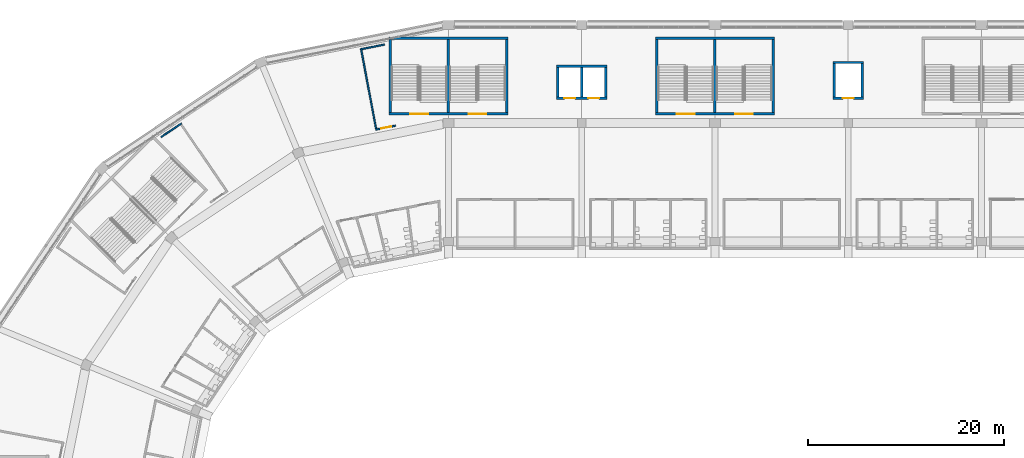
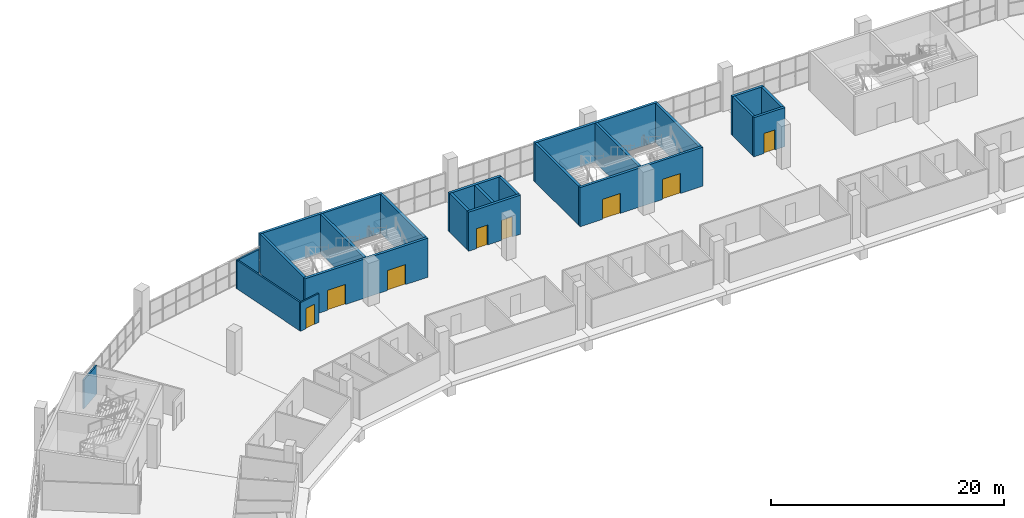
# One storey, part 87 of 199: 23 walls, 8 doors, 8 openings.
"""IFC4 building model written with IfcOpenShell, lengths in metres."""

from ifc_helpers import new_model, si_unit, direction, frame, frame_2d, origin, place, context, subcontext, project, spatial, rectangle, extrude, material, layer, layer_set, type_object, element, fill, save


model = new_model("IFC4")

# Units and contexts
model_context = context("Model", 3, precision=1e-05, world=origin(), true_north=direction((0.0, 1.0)))
body_context = subcontext(model_context, "Body", "Model", "MODEL_VIEW")
ifc_project = project(units=[si_unit("LENGTHUNIT", "METRE"), si_unit("AREAUNIT", "SQUARE_METRE"), si_unit("VOLUMEUNIT", "CUBIC_METRE"), si_unit("PLANEANGLEUNIT", "RADIAN"), si_unit("MASSUNIT", "GRAM", prefix="KILO")], contexts=[model_context])

# Site, building, storey
site_placement = place(None, origin())
site = spatial("IfcSite", under=ifc_project, at=site_placement, CompositionType="ELEMENT")
building_placement = place(site_placement, origin())
building = spatial("IfcBuilding", under=site, at=building_placement, Name="Ogive Plaza Stadium", CompositionType="ELEMENT")
storey_placement = place(building_placement, frame((0.0, 0.0, 4.5)))
storey = spatial("IfcBuildingStorey", under=building, at=storey_placement, Name="L01", CompositionType="ELEMENT", Elevation=4.5)

# Wall
ifc_material_1 = material(Name="Masonry blockwork", Category="masonry")
ifc_layer_1 = layer(ifc_material_1, 0.14990234375)
ifc_layer_set_1 = layer_set([ifc_layer_1], Name="Blockwork wall 150")
wall_type_1 = type_object("IfcWallType", Name="Blockwork wall 150", PredefinedType="SOLIDWALL", material=ifc_layer_set_1)
wall_1_placement = place(storey_placement, frame((-63.332763671875, 91.053955078125, 0.0), z_axis=(0.0, 0.0, 1.0), x_axis=(0.831482054195, 0.555551611961, 0.0)))
element("IfcWall", 1, at=wall_1_placement, inside=storey, type_object=wall_type_1, Name="Wall L01 B30", PredefinedType="SOLIDWALL", context=body_context, shape_type="SweptSolid", body=[
    extrude(rectangle(XDim=2.513671875, YDim=0.14990234375, at=frame_2d((1.2568359375, 0.0))), origin(), (0.0, 0.0, 1.0), 3.0),
])

# Wall, openings, doors
ifc_material_2 = material(Name="Concrete C40/50", Category="concrete")
ifc_layer_2 = layer(ifc_material_2, 0.25)
ifc_layer_set_2 = layer_set([ifc_layer_2], Name="Concrete C40/50")
wall_type_2 = type_object("IfcWallType", Name="Core wall 250", PredefinedType="SHEAR", material=ifc_layer_set_2)
wall_2_placement = place(storey_placement, frame((-27.925048828125, 93.425048828125, 0.0), z_axis=(0.0, 0.0, 1.0), x_axis=(-1.0, 0.0, 0.0)))
wall_2 = element("IfcWall", 2, at=wall_2_placement, inside=storey, type_object=wall_type_2, Name="Stair core R32 inner wall", PredefinedType="SHEAR", context=body_context, shape_type="SweptSolid", body=[
    extrude(rectangle(XDim=12.14990234375, YDim=0.25, at=frame_2d((6.074951171875, 0.0))), origin(), (0.0, 0.0, 1.0), 4.090087890625),
])
opening_1_placement = place(wall_2_placement, frame((2.199951171875, 0.0, 0.0)))
opening_1 = element("IfcOpeningElement", 3, at=opening_1_placement, cuts=wall_2, Name="Opening D0237", PredefinedType="OPENING", context=body_context, shape_type="SweptSolid", body=[
    extrude(rectangle(XDim=1.800048828125, YDim=2.10009765625, at=frame_2d((0.89990234375, 1.050048828125))), frame((0.0, 0.125, 0.0), z_axis=(0.0, -1.0, 0.0), x_axis=(1.0, 0.0, 0.0)), (0.0, 0.0, 1.0), 0.25),
])
opening_2_placement = place(wall_2_placement, frame((8.14990234375, 0.0, 0.0)))
opening_2 = element("IfcOpeningElement", 4, at=opening_2_placement, cuts=wall_2, Name="Opening D0238", PredefinedType="OPENING", context=body_context, shape_type="SweptSolid", body=[
    extrude(rectangle(XDim=1.800048828125, YDim=2.10009765625, at=frame_2d((0.89990234375, 1.050048828125))), frame((0.0, 0.125, 0.0), z_axis=(0.0, -1.0, 0.0), x_axis=(1.0, 0.0, 0.0)), (0.0, 0.0, 1.0), 0.25),
])
ifc_material_3 = material(Name="Steel ASTM A572 Grade 50", Category="steel")
door_type_1 = type_object("IfcDoorType", Name="Fire door FD90 pair 1800 x 2100", OperationType="DOUBLE_DOOR_SINGLE_SWING", PredefinedType="DOOR", material=ifc_material_3)
door_1_placement = place(opening_1_placement, origin())
door_1 = element("IfcDoor", 5, at=door_1_placement, inside=storey, type_object=door_type_1, Name="Exit stair R32A door L01", OperationType="DOUBLE_DOOR_SINGLE_SWING", OverallHeight=2.10009765625, OverallWidth=1.800048828125, PredefinedType="DOOR", context=body_context, shape_type="SweptSolid", body=[
    extrude(rectangle(XDim=1.800048828125, YDim=2.10009765625, at=frame_2d((0.89990234375, 1.050048828125))), frame((0.0, 0.02490234375, 0.0), z_axis=(0.0, -1.0, 0.0), x_axis=(1.0, 0.0, 0.0)), (0.0, 0.0, 1.0), 0.050048828125),
])
fill(opening_1, door_1)
door_2_placement = place(opening_2_placement, origin())
door_2 = element("IfcDoor", 6, at=door_2_placement, inside=storey, type_object=door_type_1, Name="Exit stair R32B door L01", OperationType="DOUBLE_DOOR_SINGLE_SWING", OverallHeight=2.10009765625, OverallWidth=1.800048828125, PredefinedType="DOOR", context=body_context, shape_type="SweptSolid", body=[
    extrude(rectangle(XDim=1.800048828125, YDim=2.10009765625, at=frame_2d((0.89990234375, 1.050048828125))), frame((0.0, 0.02490234375, 0.0), z_axis=(0.0, -1.0, 0.0), x_axis=(1.0, 0.0, 0.0)), (0.0, 0.0, 1.0), 0.050048828125),
])
fill(opening_2, door_2)

# Walls
wall_3_placement = place(storey_placement, frame((-27.925048828125, 101.135009765625, 0.0), z_axis=(0.0, 0.0, 1.0), x_axis=(-1.0, 0.0, 0.0)))
element("IfcWall", 7, at=wall_3_placement, inside=storey, type_object=wall_type_2, Name="Stair core R32 outer wall", PredefinedType="SHEAR", context=body_context, shape_type="SweptSolid", body=[
    extrude(rectangle(XDim=12.14990234375, YDim=0.25, at=frame_2d((6.074951171875, 0.0))), origin(), (0.0, 0.0, 1.0), 4.090087890625),
])
for number, where, z_axis, x_axis, name in (
    (8, (-28.050048828125, 93.550048828125, 0.0), (0.0, 0.0, 1.0), (0.0, 1.0, 0.0), "Stair core R32 side wall"),
    (9, (-39.949951171875, 93.550048828125, 0.0), (0.0, 0.0, 1.0), (0.0, 1.0, 0.0), "Stair core R32 side wall"),
    (10, (-34.0, 93.550048828125, 0.0), (0.0, 0.0, 1.0), (0.0, 1.0, 0.0), "Stair core R32 centre wall"),
):
    element("IfcWall", number, at=place(storey_placement, frame(where, z_axis=z_axis, x_axis=x_axis)), inside=storey, type_object=wall_type_2, Name=name, PredefinedType="SHEAR", context=body_context, shape_type="SweptSolid", body=[
        extrude(rectangle(XDim=7.4599609375, YDim=0.25, at=frame_2d((3.72998046875, 0.0))), origin(), (0.0, 0.0, 1.0), 4.090087890625),
    ])

# Wall, openings, doors
wall_4_placement = place(storey_placement, frame((-0.72509765625, 93.425048828125, 0.0), z_axis=(0.0, 0.0, 1.0), x_axis=(-1.0, 0.0, 0.0)))
wall_4 = element("IfcWall", 11, at=wall_4_placement, inside=storey, type_object=wall_type_2, Name="Stair core R34 inner wall", PredefinedType="SHEAR", context=body_context, shape_type="SweptSolid", body=[
    extrude(rectangle(XDim=12.14990234375, YDim=0.25, at=frame_2d((6.074951171875, 0.0))), origin(), (0.0, 0.0, 1.0), 4.090087890625),
])
opening_3_placement = place(wall_4_placement, frame((2.199951171875, 0.0, 0.0)))
opening_3 = element("IfcOpeningElement", 12, at=opening_3_placement, cuts=wall_4, Name="Opening D0249", PredefinedType="OPENING", context=body_context, shape_type="SweptSolid", body=[
    extrude(rectangle(XDim=1.800048828125, YDim=2.10009765625, at=frame_2d((0.89990234375, 1.050048828125))), frame((0.0, 0.125, 0.0), z_axis=(0.0, -1.0, 0.0), x_axis=(1.0, 0.0, 0.0)), (0.0, 0.0, 1.0), 0.25),
])
opening_4_placement = place(wall_4_placement, frame((8.14990234375, 0.0, 0.0)))
opening_4 = element("IfcOpeningElement", 13, at=opening_4_placement, cuts=wall_4, Name="Opening D0250", PredefinedType="OPENING", context=body_context, shape_type="SweptSolid", body=[
    extrude(rectangle(XDim=1.800048828125, YDim=2.10009765625, at=frame_2d((0.89990234375, 1.050048828125))), frame((0.0, 0.125, 0.0), z_axis=(0.0, -1.0, 0.0), x_axis=(1.0, 0.0, 0.0)), (0.0, 0.0, 1.0), 0.25),
])
door_3_placement = place(opening_3_placement, origin())
door_3 = element("IfcDoor", 14, at=door_3_placement, inside=storey, type_object=door_type_1, Name="Exit stair R34A door L01", OperationType="DOUBLE_DOOR_SINGLE_SWING", OverallHeight=2.10009765625, OverallWidth=1.800048828125, PredefinedType="DOOR", context=body_context, shape_type="SweptSolid", body=[
    extrude(rectangle(XDim=1.800048828125, YDim=2.10009765625, at=frame_2d((0.89990234375, 1.050048828125))), frame((0.0, 0.02490234375, 0.0), z_axis=(0.0, -1.0, 0.0), x_axis=(1.0, 0.0, 0.0)), (0.0, 0.0, 1.0), 0.050048828125),
])
fill(opening_3, door_3)
door_4_placement = place(opening_4_placement, origin())
door_4 = element("IfcDoor", 15, at=door_4_placement, inside=storey, type_object=door_type_1, Name="Exit stair R34B door L01", OperationType="DOUBLE_DOOR_SINGLE_SWING", OverallHeight=2.10009765625, OverallWidth=1.800048828125, PredefinedType="DOOR", context=body_context, shape_type="SweptSolid", body=[
    extrude(rectangle(XDim=1.800048828125, YDim=2.10009765625, at=frame_2d((0.89990234375, 1.050048828125))), frame((0.0, 0.02490234375, 0.0), z_axis=(0.0, -1.0, 0.0), x_axis=(1.0, 0.0, 0.0)), (0.0, 0.0, 1.0), 0.050048828125),
])
fill(opening_4, door_4)

# Walls
wall_5_placement = place(storey_placement, frame((-0.72509765625, 101.135009765625, 0.0), z_axis=(0.0, 0.0, 1.0), x_axis=(-1.0, 0.0, 0.0)))
element("IfcWall", 16, at=wall_5_placement, inside=storey, type_object=wall_type_2, Name="Stair core R34 outer wall", PredefinedType="SHEAR", context=body_context, shape_type="SweptSolid", body=[
    extrude(rectangle(XDim=12.14990234375, YDim=0.25, at=frame_2d((6.074951171875, 0.0))), origin(), (0.0, 0.0, 1.0), 4.090087890625),
])
for number, where, z_axis, x_axis, name in (
    (17, (-0.85009765625, 93.550048828125, 0.0), (0.0, 0.0, 1.0), (0.0, 1.0, 0.0), "Stair core R34 side wall"),
    (18, (-12.75, 93.550048828125, 0.0), (0.0, 0.0, 1.0), (0.0, 1.0, 0.0), "Stair core R34 side wall"),
    (19, (-6.800048828125, 93.550048828125, 0.0), (0.0, 0.0, 1.0), (0.0, 1.0, 0.0), "Stair core R34 centre wall"),
):
    element("IfcWall", number, at=place(storey_placement, frame(where, z_axis=z_axis, x_axis=x_axis)), inside=storey, type_object=wall_type_2, Name=name, PredefinedType="SHEAR", context=body_context, shape_type="SweptSolid", body=[
        extrude(rectangle(XDim=7.4599609375, YDim=0.25, at=frame_2d((3.72998046875, 0.0))), origin(), (0.0, 0.0, 1.0), 4.090087890625),
    ])

# Wall, openings, doors
wall_6_placement = place(storey_placement, frame((-17.824951171875, 95.02490234375, 0.0), z_axis=(0.0, 0.0, 1.0), x_axis=(-1.0, 0.0, 0.0)))
wall_6 = element("IfcWall", 20, at=wall_6_placement, inside=storey, type_object=wall_type_2, Name="Lift core LP33 landing wall", PredefinedType="SHEAR", context=body_context, shape_type="SweptSolid", body=[
    extrude(rectangle(XDim=5.150146484375, YDim=0.25, at=frame_2d((2.5751953125, 0.0))), origin(), (0.0, 0.0, 1.0), 4.090087890625),
])
opening_5_placement = place(wall_6_placement, frame((0.800048828125, 0.0, 0.0)))
opening_5 = element("IfcOpeningElement", 21, at=opening_5_placement, cuts=wall_6, Name="Opening LD074", PredefinedType="OPENING", context=body_context, shape_type="SweptSolid", body=[
    extrude(rectangle(XDim=1.10009765625, YDim=2.10009765625, at=frame_2d((0.550048828125, 1.050048828125))), frame((0.0, 0.125, 0.0), z_axis=(0.0, -1.0, 0.0), x_axis=(1.0, 0.0, 0.0)), (0.0, 0.0, 1.0), 0.25),
])
opening_6_placement = place(wall_6_placement, frame((3.25, 0.0, 0.0)))
opening_6 = element("IfcOpeningElement", 22, at=opening_6_placement, cuts=wall_6, Name="Opening LD075", PredefinedType="OPENING", context=body_context, shape_type="SweptSolid", body=[
    extrude(rectangle(XDim=1.10009765625, YDim=2.10009765625, at=frame_2d((0.550048828125, 1.050048828125))), frame((0.0, 0.125, 0.0), z_axis=(0.0, -1.0, 0.0), x_axis=(1.0, 0.0, 0.0)), (0.0, 0.0, 1.0), 0.25),
])
ifc_material_4 = material(Name="Steel ASTM A572 Grade 50", Category="steel")
door_type_2 = type_object("IfcDoorType", Name="Landing door 1100 x 2100", OperationType="SLIDING_TO_LEFT", PredefinedType="DOOR", material=ifc_material_4)
door_5_placement = place(opening_5_placement, origin())
door_5 = element("IfcDoor", 23, at=door_5_placement, inside=storey, type_object=door_type_2, Name="Lift landing door LP33 L01", OperationType="SLIDING_TO_LEFT", OverallHeight=2.10009765625, OverallWidth=1.10009765625, PredefinedType="DOOR", context=body_context, shape_type="SweptSolid", body=[
    extrude(rectangle(XDim=1.10009765625, YDim=2.10009765625, at=frame_2d((0.550048828125, 1.050048828125))), frame((0.0, 0.02490234375, 0.0), z_axis=(0.0, -1.0, 0.0), x_axis=(1.0, 0.0, 0.0)), (0.0, 0.0, 1.0), 0.050048828125),
])
fill(opening_5, door_5)
door_6_placement = place(opening_6_placement, origin())
door_6 = element("IfcDoor", 24, at=door_6_placement, inside=storey, type_object=door_type_2, Name="Lift landing door LP33 L01", OperationType="SLIDING_TO_LEFT", OverallHeight=2.10009765625, OverallWidth=1.10009765625, PredefinedType="DOOR", context=body_context, shape_type="SweptSolid", body=[
    extrude(rectangle(XDim=1.10009765625, YDim=2.10009765625, at=frame_2d((0.550048828125, 1.050048828125))), frame((0.0, 0.02490234375, 0.0), z_axis=(0.0, -1.0, 0.0), x_axis=(1.0, 0.0, 0.0)), (0.0, 0.0, 1.0), 0.050048828125),
])
fill(opening_6, door_6)

# Walls
wall_7_placement = place(storey_placement, frame((-17.824951171875, 98.27490234375, 0.0), z_axis=(0.0, 0.0, 1.0), x_axis=(-1.0, 0.0, 0.0)))
element("IfcWall", 25, at=wall_7_placement, inside=storey, type_object=wall_type_2, Name="Lift core LP33 rear wall", PredefinedType="SHEAR", context=body_context, shape_type="SweptSolid", body=[
    extrude(rectangle(XDim=5.150146484375, YDim=0.25, at=frame_2d((2.5751953125, 0.0))), origin(), (0.0, 0.0, 1.0), 4.090087890625),
])
for number, where, z_axis, x_axis, name in (
    (26, (-17.949951171875, 95.14990234375, 0.0), (0.0, 0.0, 1.0), (0.0, 1.0, 0.0), "Lift core LP33 side wall"),
    (27, (-22.85009765625, 95.14990234375, 0.0), (0.0, 0.0, 1.0), (0.0, 1.0, 0.0), "Lift core LP33 side wall"),
    (28, (-20.39990234375, 95.14990234375, 0.0), (0.0, 0.0, 1.0), (0.0, 1.0, 0.0), "Lift core LP33 centre wall"),
):
    element("IfcWall", number, at=place(storey_placement, frame(where, z_axis=z_axis, x_axis=x_axis)), inside=storey, type_object=wall_type_2, Name=name, PredefinedType="SHEAR", context=body_context, shape_type="SweptSolid", body=[
        extrude(rectangle(XDim=3.0, YDim=0.25, at=frame_2d((1.5, 0.0))), origin(), (0.0, 0.0, 1.0), 4.090087890625),
    ])

# Wall, opening, door
wall_8_placement = place(storey_placement, frame((8.35009765625, 95.02490234375, 0.0), z_axis=(0.0, 0.0, 1.0), x_axis=(-1.0, 0.0, 0.0)))
wall_8 = element("IfcWall", 29, at=wall_8_placement, inside=storey, type_object=wall_type_2, Name="Lift core LS35 landing wall", PredefinedType="SHEAR", context=body_context, shape_type="SweptSolid", body=[
    extrude(rectangle(XDim=3.10009765625, YDim=0.25, at=frame_2d((1.550048828125, 0.0))), origin(), (0.0, 0.0, 1.0), 4.090087890625),
])
opening_7_placement = place(wall_8_placement, frame((1.0, 0.0, 0.0)))
opening_7 = element("IfcOpeningElement", 30, at=opening_7_placement, cuts=wall_8, Name="Opening LD086", PredefinedType="OPENING", context=body_context, shape_type="SweptSolid", body=[
    extrude(rectangle(XDim=1.10009765625, YDim=2.10009765625, at=frame_2d((0.550048828125, 1.050048828125))), frame((0.0, 0.125, 0.0), z_axis=(0.0, -1.0, 0.0), x_axis=(1.0, 0.0, 0.0)), (0.0, 0.0, 1.0), 0.25),
])
door_7_placement = place(opening_7_placement, origin())
door_7 = element("IfcDoor", 31, at=door_7_placement, inside=storey, type_object=door_type_2, Name="Lift landing door LS35 L01", OperationType="SLIDING_TO_LEFT", OverallHeight=2.10009765625, OverallWidth=1.10009765625, PredefinedType="DOOR", context=body_context, shape_type="SweptSolid", body=[
    extrude(rectangle(XDim=1.10009765625, YDim=2.10009765625, at=frame_2d((0.550048828125, 1.050048828125))), frame((0.0, 0.02490234375, 0.0), z_axis=(0.0, -1.0, 0.0), x_axis=(1.0, 0.0, 0.0)), (0.0, 0.0, 1.0), 0.050048828125),
])
fill(opening_7, door_7)

# Walls
wall_9_placement = place(storey_placement, frame((8.35009765625, 98.675048828125, 0.0), z_axis=(0.0, 0.0, 1.0), x_axis=(-1.0, 0.0, 0.0)))
element("IfcWall", 32, at=wall_9_placement, inside=storey, type_object=wall_type_2, Name="Lift core LS35 rear wall", PredefinedType="SHEAR", context=body_context, shape_type="SweptSolid", body=[
    extrude(rectangle(XDim=3.10009765625, YDim=0.25, at=frame_2d((1.550048828125, 0.0))), origin(), (0.0, 0.0, 1.0), 4.090087890625),
])
for number, where, z_axis, x_axis, name in (
    (33, (8.22509765625, 95.14990234375, 0.0), (0.0, 0.0, 1.0), (0.0, 1.0, 0.0), "Lift core LS35 side wall"),
    (34, (5.375, 95.14990234375, 0.0), (0.0, 0.0, 1.0), (0.0, 1.0, 0.0), "Lift core LS35 side wall"),
):
    element("IfcWall", number, at=place(storey_placement, frame(where, z_axis=z_axis, x_axis=x_axis)), inside=storey, type_object=wall_type_2, Name=name, PredefinedType="SHEAR", context=body_context, shape_type="SweptSolid", body=[
        extrude(rectangle(XDim=3.400146484375, YDim=0.25, at=frame_2d((1.7001953125, 0.0))), origin(), (0.0, 0.0, 1.0), 4.090087890625),
    ])

# Wall, opening, door
ifc_material_5 = material(Name="Gypsum board partition", Category="gypsum")
ifc_layer_3 = layer(ifc_material_5, 0.14990234375)
ifc_layer_set_3 = layer_set([ifc_layer_3], Name="Partition 150")
wall_type_3 = type_object("IfcWallType", Name="Partition 150", PredefinedType="PARTITIONING", material=ifc_layer_set_3)
wall_10_placement = place(storey_placement, frame((-39.396240234375, 92.2265625, 0.0), z_axis=(0.0, 0.0, 1.0), x_axis=(-0.980792255889, -0.195055250603, 0.0)))
wall_10 = element("IfcWall", 35, at=wall_10_placement, inside=storey, type_object=wall_type_3, Name="Wall L01 B31", PredefinedType="PARTITIONING", context=body_context, shape_type="SweptSolid", body=[
    extrude(rectangle(XDim=2.080322265625, YDim=0.14990234375, at=frame_2d((1.0400390625, 0.0))), origin(), (0.0, 0.0, 1.0), 3.0),
])
opening_8_placement = place(wall_10_placement, frame((0.47216796875, 0.0, 0.0)))
opening_8 = element("IfcOpeningElement", 36, at=opening_8_placement, cuts=wall_10, Name="Opening D0574", PredefinedType="OPENING", context=body_context, shape_type="SweptSolid", body=[
    extrude(rectangle(XDim=1.0, YDim=2.10009765625, at=frame_2d((0.5, 1.050048828125))), frame((0.0, 0.074951171875, 0.0), z_axis=(0.0, -1.0, 0.0), x_axis=(1.0, 0.0, 0.0)), (0.0, 0.0, 1.0), 0.14990234375),
])
ifc_material_6 = material(Name="Steel ASTM A572 Grade 50", Category="steel")
door_type_3 = type_object("IfcDoorType", Name="Door 1000 x 2100", OperationType="SINGLE_SWING_LEFT", PredefinedType="DOOR", material=ifc_material_6)
door_8_placement = place(opening_8_placement, origin())
door_8 = element("IfcDoor", 37, at=door_8_placement, inside=storey, type_object=door_type_3, Name="Club Reception B31 door", OperationType="SINGLE_SWING_LEFT", OverallHeight=2.10009765625, OverallWidth=1.0, PredefinedType="DOOR", context=body_context, shape_type="SweptSolid", body=[
    extrude(rectangle(XDim=1.0, YDim=2.10009765625, at=frame_2d((0.5, 1.050048828125))), frame((0.0, 0.02490234375, 0.0), z_axis=(0.0, -1.0, 0.0), x_axis=(1.0, 0.0, 0.0)), (0.0, 0.0, 1.0), 0.050048828125),
])
fill(opening_8, door_8)

# Walls
wall_11_placement = place(storey_placement, frame((-40.520263671875, 100.5029296875, 0.0), z_axis=(0.0, 0.0, 1.0), x_axis=(-0.980796747004, -0.195032666665, 0.0)))
element("IfcWall", 38, at=wall_11_placement, inside=storey, type_object=wall_type_3, Name="Wall L01 B31", PredefinedType="PARTITIONING", context=body_context, shape_type="SweptSolid", body=[
    extrude(rectangle(XDim=2.513671875, YDim=0.14990234375, at=frame_2d((1.2568359375, 0.0))), origin(), (0.0, 0.0, 1.0), 3.0),
])
wall_12_placement = place(storey_placement, frame((-41.38330078125, 91.90625, 0.0), z_axis=(0.0, 0.0, 1.0), x_axis=(-0.184160747979, 0.982896138411, 0.0)))
element("IfcWall", 39, at=wall_12_placement, inside=storey, type_object=wall_type_3, Name="Wall L01 B31", PredefinedType="PARTITIONING", context=body_context, shape_type="SweptSolid", body=[
    extrude(rectangle(XDim=8.190185546875, YDim=0.14990234375, at=frame_2d((4.09521484375, 0.0))), origin(), (0.0, 0.0, 1.0), 3.0),
])

save(model, "model.ifc")
